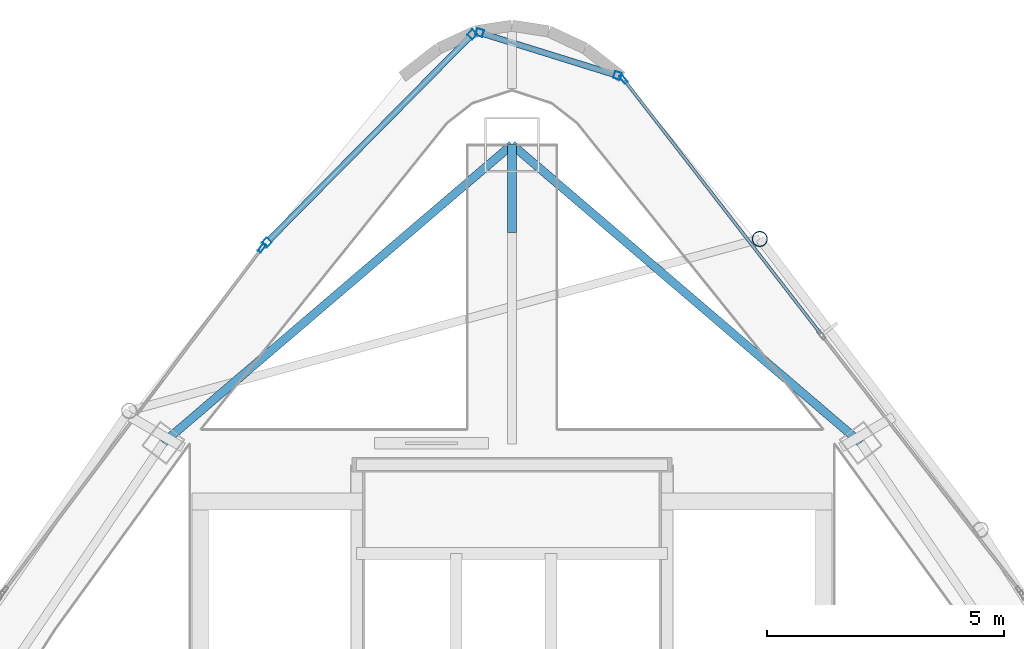
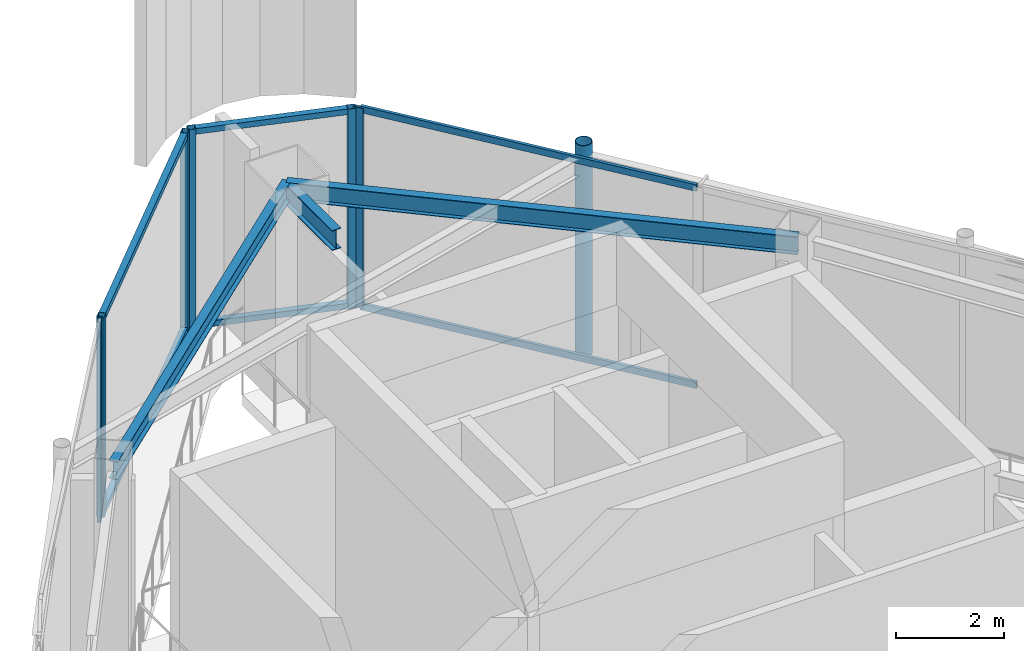
# One storey, part 14 of 18: 13 members, 3 beams, 4 elements without a shape of their own.
"""IFC4 building model written with IfcOpenShell, lengths in metres."""

from ifc_helpers import new_model, si_unit, direction, frame, origin, origin_2d, place, context, subcontext, project, spatial, hollow_rectangle, hollow_circle, i_section, extrude, material, layer, layer_set, material_profile, profile_set, type_object, element, aggregate, save


model = new_model("IFC4")

# Units and contexts
model_context = context("Model", 3, precision=1e-05, world=origin(), true_north=direction((0.0, 1.0)))
body_context = subcontext(model_context, "Body", "Model", "MODEL_VIEW")
ifc_project = project(units=[si_unit("LENGTHUNIT", "METRE"), si_unit("AREAUNIT", "SQUARE_METRE"), si_unit("VOLUMEUNIT", "CUBIC_METRE"), si_unit("PLANEANGLEUNIT", "RADIAN"), si_unit("MASSUNIT", "GRAM", prefix="KILO")], contexts=[model_context])

# Site, building, storey
site_placement = place(None, origin())
site = spatial("IfcSite", under=ifc_project, at=site_placement, CompositionType="ELEMENT")
building_placement = place(site_placement, origin())
building = spatial("IfcBuilding", under=site, at=building_placement, Name="Orvanel Arch Residences", CompositionType="ELEMENT")
storey_placement = place(building_placement, frame((0.0, 0.0, 310.10009765625)))
storey = spatial("IfcBuildingStorey", under=building, at=storey_placement, Name="L86", CompositionType="ELEMENT", Elevation=310.10009765625)

# Beam
ifc_material_1 = material(Name="Structural steel AS/NZS 3679.1 Grade 300 (300 MPa)", Category="steel")
ifc_material_profile_1 = material_profile(ifc_material_1, i_section(OverallWidth=0.19091796875, OverallDepth=0.4599609375, WebThickness=0.010009765625, FlangeThickness=0.01611328125, at=origin_2d()), Name="460UB82.1")
ifc_profile_set_1 = profile_set([ifc_material_profile_1], Name="Structural steel AS/NZS 3679.1 Grade 300 (300 MPa)")
beam_type_1 = type_object("IfcBeamType", Name="BG-460UB", PredefinedType="BEAM", material=ifc_profile_set_1)
beam_placement = place(storey_placement, frame((33.0, 39.550048828125, 4.309814453125), z_axis=(0.0, 1.0, 0.0), x_axis=(-1.0, 0.0, 0.0)))
element("IfcBeam", 1, at=beam_placement, inside=storey, type_object=beam_type_1, Name="L86 North Radial Girder", PredefinedType="BEAM", context=body_context, shape_type="SweptSolid", body=[
    extrude(i_section(OverallWidth=0.19091796875, OverallDepth=0.4599609375, WebThickness=0.010009765625, FlangeThickness=0.01611328125, at=origin_2d()), origin(), (0.0, 0.0, 1.0), 1.847900390625),
])

# Curtain wall, members
ifc_material_2 = material(Name="Bronze-anodised aluminium AA6063-T6", Category="aluminium")
ifc_layer = layer(ifc_material_2, 0.2099609375)
ifc_layer_set = layer_set([ifc_layer], Name="Bronze-anodised aluminium AA6063-T6")
curtain_wall_type = type_object("IfcCurtainWallType", Name="CW7-TOP-SYS", PredefinedType="NOTDEFINED", material=ifc_layer_set)
curtain_wall_1_placement = place(storey_placement, origin())
curtain_wall_1 = element("IfcCurtainWall", 2, at=curtain_wall_1_placement, inside=storey, type_object=curtain_wall_type, Name="L86 CW7-TOP-SYS Unitised Curtain Wall", PredefinedType="NOTDEFINED")
ifc_material_profile_2 = material_profile(ifc_material_2, hollow_rectangle(XDim=0.14990234375, YDim=0.14990234375, WallThickness=0.0048828125, at=origin_2d()), Name="ALU150x150x5")
ifc_profile_set_2 = profile_set([ifc_material_profile_2], Name="Bronze-anodised aluminium AA6063-T6")
member_type_1 = type_object("IfcMemberType", Name="MUL-150x150", PredefinedType="MULLION", material=ifc_profile_set_2)
member_1_placement = place(storey_placement, frame((35.224365234375, 42.856201171875, 0.0), z_axis=(0.0, 0.0, 1.0), x_axis=(-0.297187104186, -0.954819263057, 0.0)))
member_1 = element("IfcMember", 3, at=member_1_placement, type_object=member_type_1, Name="CW-S7 mullion 1", PredefinedType="MULLION", context=body_context, shape_type="SweptSolid", body=[
    extrude(hollow_rectangle(XDim=0.14990234375, YDim=0.14990234375, WallThickness=0.0048828125, at=origin_2d()), origin(), (0.0, 0.0, 1.0), 4.539794921875),
])
member_2_placement = place(storey_placement, frame((32.318603515625, 43.7607421875, 0.0), z_axis=(0.0, 0.0, 1.0), x_axis=(-0.297187104186, -0.954819263057, 0.0)))
member_2 = element("IfcMember", 4, at=member_2_placement, type_object=member_type_1, Name="CW-S7 mullion 2", PredefinedType="MULLION", context=body_context, shape_type="SweptSolid", body=[
    extrude(hollow_rectangle(XDim=0.14990234375, YDim=0.14990234375, WallThickness=0.0048828125, at=origin_2d()), origin(), (0.0, 0.0, 1.0), 4.539794921875),
])

curtain_wall_2_placement = place(storey_placement, origin())
curtain_wall_2 = element("IfcCurtainWall", 5, at=curtain_wall_2_placement, inside=storey, type_object=curtain_wall_type, Name="L86 CW7-TOP-SYS Unitised Curtain Wall", PredefinedType="NOTDEFINED")
member_3_placement = place(storey_placement, frame((32.161376953125, 43.7216796875, 0.0), z_axis=(0.0, 0.0, 1.0), x_axis=(0.71152705503, -0.702658700907, 0.0)))
member_3 = element("IfcMember", 6, at=member_3_placement, type_object=member_type_1, Name="CW-S7 mullion 1", PredefinedType="MULLION", context=body_context, shape_type="SweptSolid", body=[
    extrude(hollow_rectangle(XDim=0.14990234375, YDim=0.14990234375, WallThickness=0.0048828125, at=origin_2d()), origin(), (0.0, 0.0, 1.0), 4.539794921875),
])
member_4_placement = place(storey_placement, frame((27.82958984375, 39.33544921875, 0.0), z_axis=(0.0, 0.0, 1.0), x_axis=(0.71152705503, -0.702658700907, 0.0)))
member_4 = element("IfcMember", 7, at=member_4_placement, type_object=member_type_1, Name="CW-S7 mullion 2", PredefinedType="MULLION", context=body_context, shape_type="SweptSolid", body=[
    extrude(hollow_rectangle(XDim=0.14990234375, YDim=0.14990234375, WallThickness=0.0048828125, at=origin_2d()), origin(), (0.0, 0.0, 1.0), 4.539794921875),
])

# Curtain wall, member
curtain_wall_3_placement = place(storey_placement, origin())
curtain_wall_3 = element("IfcCurtainWall", 8, at=curtain_wall_3_placement, inside=storey, type_object=curtain_wall_type, Name="L86 CW7-TOP-SYS Unitised Curtain Wall", PredefinedType="NOTDEFINED")
ifc_material_profile_3 = material_profile(ifc_material_2, hollow_rectangle(XDim=0.074951171875, YDim=0.199951171875, WallThickness=0.0048828125, at=origin_2d()), Name="ALU200x75x5")
ifc_profile_set_3 = profile_set([ifc_material_profile_3], Name="Bronze-anodised aluminium AA6063-T6")
member_type_2 = type_object("IfcMemberType", Name="MUL-200x75", PredefinedType="MULLION", material=ifc_profile_set_3)
member_5_placement = place(storey_placement, frame((27.728515625, 39.221923828125, 0.0), z_axis=(0.0, 0.0, 1.0), x_axis=(0.799341985759, -0.600876351509, 0.0)))
member_5 = element("IfcMember", 9, at=member_5_placement, type_object=member_type_2, Name="CW-S7 mullion 1", PredefinedType="MULLION", context=body_context, shape_type="SweptSolid", body=[
    extrude(hollow_rectangle(XDim=0.074951171875, YDim=0.199951171875, WallThickness=0.0048828125, at=origin_2d()), origin(), (0.0, 0.0, 1.0), 4.539794921875),
])
aggregate(curtain_wall_3, [member_5])

curtain_wall_4_placement = place(storey_placement, origin())
curtain_wall_4 = element("IfcCurtainWall", 10, at=curtain_wall_4_placement, inside=storey, type_object=curtain_wall_type, Name="L86 CW7-TOP-SYS Unitised Curtain Wall", PredefinedType="NOTDEFINED")
member_6_placement = place(storey_placement, frame((35.349853515625, 42.782470703125, 0.0), z_axis=(0.0, 0.0, 1.0), x_axis=(-0.790656592833, -0.612259873102, 0.0)))
member_6 = element("IfcMember", 11, at=member_6_placement, type_object=member_type_2, Name="CW-S7 mullion 3", PredefinedType="MULLION", context=body_context, shape_type="SweptSolid", body=[
    extrude(hollow_rectangle(XDim=0.074951171875, YDim=0.199951171875, WallThickness=0.0048828125, at=origin_2d()), origin(), (0.0, 0.0, 1.0), 4.539794921875),
])

# Beams
ifc_material_profile_4 = material_profile(ifc_material_1, i_section(OverallWidth=0.177978515625, OverallDepth=0.406005859375, WebThickness=0.0078125, FlangeThickness=0.0126953125, at=origin_2d()), Name="410UB59.7")
ifc_profile_set_4 = profile_set([ifc_material_profile_4], Name="Structural steel AS/NZS 3679.1 Grade 300 (300 MPa)")
beam_type_2 = type_object("IfcBeamType", Name="OB-410UB", PredefinedType="SPANDREL", material=ifc_profile_set_4)
for number, where, z_axis, x_axis, name in (
    (12, (40.35205078125, 35.113037109375, 4.3369140625), (-0.760116518398, 0.649786794617, 0.0), (-0.649786794617, -0.760116518398, 0.0), "L86 Perimeter Spandrel Beam 09"),
    (13, (33.0, 41.39794921875, 4.3369140625), (-0.760116518398, -0.649786794617, 0.0), (0.649786794617, -0.760116518398, 0.0), "L86 Perimeter Spandrel Beam 10"),
):
    element("IfcBeam", number, at=place(storey_placement, frame(where, z_axis=z_axis, x_axis=x_axis)), inside=storey, type_object=beam_type_2, Name=name, PredefinedType="SPANDREL", context=body_context, shape_type="SweptSolid", body=[
        extrude(i_section(OverallWidth=0.177978515625, OverallDepth=0.406005859375, WebThickness=0.0078125, FlangeThickness=0.0126953125, at=origin_2d()), origin(), (0.0, 0.0, 1.0), 9.67236328125),
    ])

# Member
ifc_material_3 = material(Name="Structural steel AS/NZS 1163 C350L0 (Grade 350)", Category="steel")
ifc_material_profile_5 = material_profile(ifc_material_3, hollow_circle(Radius=0.162109375, WallThickness=0.0126953125, at=origin_2d()), Name="CHS324x12.7")
ifc_profile_set_5 = profile_set([ifc_material_profile_5], Name="Structural steel AS/NZS 1163 C350L0 (Grade 350)")
member_type_3 = type_object("IfcMemberType", Name="ST-324CHS-EXT", PredefinedType="STRUT", material=ifc_profile_set_5)
member_7_placement = place(storey_placement, frame((38.22412109375, 39.409912109375, 0.0), z_axis=(0.0, 0.0, 1.0), x_axis=(1.0, 0.0, 0.0)))
element("IfcMember", 14, at=member_7_placement, inside=storey, type_object=member_type_3, Name="L86 Outer Perimeter Frame Post 12", PredefinedType="STRUT", context=body_context, shape_type="SweptSolid", body=[
    extrude(hollow_circle(Radius=0.162109375, WallThickness=0.0126953125, at=origin_2d()), origin(), (0.0, 0.0, 1.0), 4.7998046875),
])

ifc_material_profile_6 = material_profile(ifc_material_2, hollow_rectangle(XDim=0.1298828125, YDim=0.1298828125, WallThickness=0.00439453125, at=origin_2d()), Name="ALU130x130x4.5")
ifc_profile_set_6 = profile_set([ifc_material_profile_6], Name="Bronze-anodised aluminium AA6063-T6")
member_type_4 = type_object("IfcMemberType", Name="TRN-130x130", PredefinedType="USERDEFINED", material=ifc_profile_set_6)
member_8_placement = place(storey_placement, frame((35.15283203125, 42.878662109375, 0.06494140625), z_axis=(-0.954821665977, 0.297179383843, 0.0), x_axis=(-0.297179383843, -0.954821665977, 0.0)))
member_8 = element("IfcMember", 15, at=member_8_placement, type_object=member_type_4, Name="CW-S7 transom 1.1", ObjectType="TRANSOM", PredefinedType="USERDEFINED", context=body_context, shape_type="SweptSolid", body=[
    extrude(hollow_rectangle(XDim=0.1298828125, YDim=0.1298828125, WallThickness=0.00439453125, at=origin_2d()), origin(), (0.0, 0.0, 1.0), 2.893310546875),
])

member_9_placement = place(storey_placement, frame((35.15283203125, 42.878662109375, 4.474853515625), z_axis=(-0.954821665977, 0.297179383843, 0.0), x_axis=(-0.297179383843, -0.954821665977, 0.0)))
member_9 = element("IfcMember", 16, at=member_9_placement, type_object=member_type_4, Name="CW-S7 transom 1.2", ObjectType="TRANSOM", PredefinedType="USERDEFINED", context=body_context, shape_type="SweptSolid", body=[
    extrude(hollow_rectangle(XDim=0.1298828125, YDim=0.1298828125, WallThickness=0.00439453125, at=origin_2d()), origin(), (0.0, 0.0, 1.0), 2.893310546875),
])

aggregate(curtain_wall_1, [member_1, member_2, member_8, member_9])

member_10_placement = place(storey_placement, frame((32.108642578125, 43.668212890625, 0.06494140625), z_axis=(-0.702668534455, -0.711517343912, 0.0), x_axis=(0.711517343912, -0.702668534455, 0.0)))
member_10 = element("IfcMember", 17, at=member_10_placement, type_object=member_type_4, Name="CW-S7 transom 1.1", ObjectType="TRANSOM", PredefinedType="USERDEFINED", context=body_context, shape_type="SweptSolid", body=[
    extrude(hollow_rectangle(XDim=0.1298828125, YDim=0.1298828125, WallThickness=0.00439453125, at=origin_2d()), origin(), (0.0, 0.0, 1.0), 6.0146484375),
])

member_11_placement = place(storey_placement, frame((32.108642578125, 43.668212890625, 4.474853515625), z_axis=(-0.702668534455, -0.711517343912, 0.0), x_axis=(0.711517343912, -0.702668534455, 0.0)))
member_11 = element("IfcMember", 18, at=member_11_placement, type_object=member_type_4, Name="CW-S7 transom 1.2", ObjectType="TRANSOM", PredefinedType="USERDEFINED", context=body_context, shape_type="SweptSolid", body=[
    extrude(hollow_rectangle(XDim=0.1298828125, YDim=0.1298828125, WallThickness=0.00439453125, at=origin_2d()), origin(), (0.0, 0.0, 1.0), 6.0146484375),
])

aggregate(curtain_wall_2, [member_3, member_4, member_10, member_11])

ifc_material_profile_7 = material_profile(ifc_material_2, hollow_rectangle(XDim=0.06494140625, YDim=0.14990234375, WallThickness=0.00390625, at=origin_2d()), Name="ALU150x65x4")
ifc_profile_set_7 = profile_set([ifc_material_profile_7], Name="Bronze-anodised aluminium AA6063-T6")
member_type_5 = type_object("IfcMemberType", Name="TRN-150x65", PredefinedType="USERDEFINED", material=ifc_profile_set_7)
member_12_placement = place(storey_placement, frame((39.506591796875, 37.41455078125, 0.032470703125), z_axis=(-0.61226945959, 0.790649169261, 0.0), x_axis=(-0.790649169261, -0.61226945959, 0.0)))
member_12 = element("IfcMember", 19, at=member_12_placement, type_object=member_type_5, Name="CW-S7 transom 2.1", ObjectType="TRANSOM", PredefinedType="USERDEFINED", context=body_context, shape_type="SweptSolid", body=[
    extrude(hollow_rectangle(XDim=0.06494140625, YDim=0.14990234375, WallThickness=0.00390625, at=origin_2d()), origin(), (0.0, 0.0, 1.0), 6.75146484375),
])

member_13_placement = place(storey_placement, frame((39.506591796875, 37.41455078125, 4.50732421875), z_axis=(-0.61226945959, 0.790649169261, 0.0), x_axis=(-0.790649169261, -0.61226945959, 0.0)))
member_13 = element("IfcMember", 20, at=member_13_placement, type_object=member_type_5, Name="CW-S7 transom 2.2", ObjectType="TRANSOM", PredefinedType="USERDEFINED", context=body_context, shape_type="SweptSolid", body=[
    extrude(hollow_rectangle(XDim=0.06494140625, YDim=0.14990234375, WallThickness=0.00390625, at=origin_2d()), origin(), (0.0, 0.0, 1.0), 6.75146484375),
])

aggregate(curtain_wall_4, [member_6, member_12, member_13])

save(model, "model.ifc")
